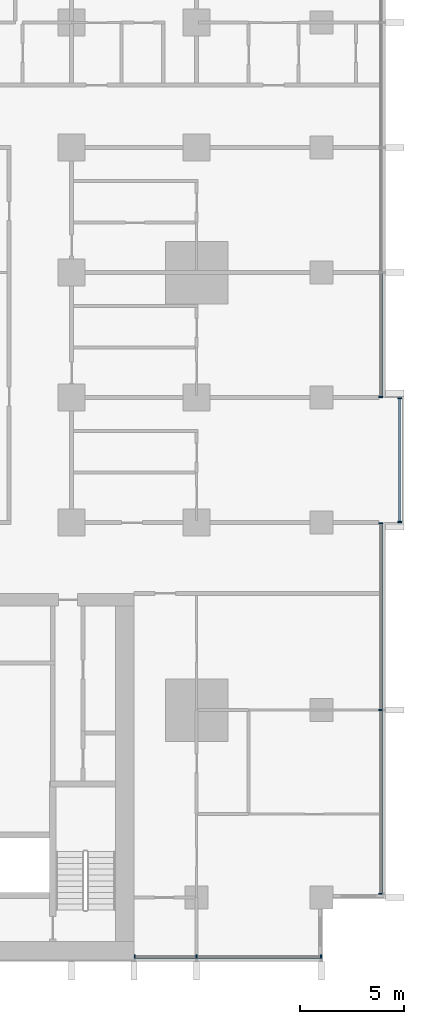
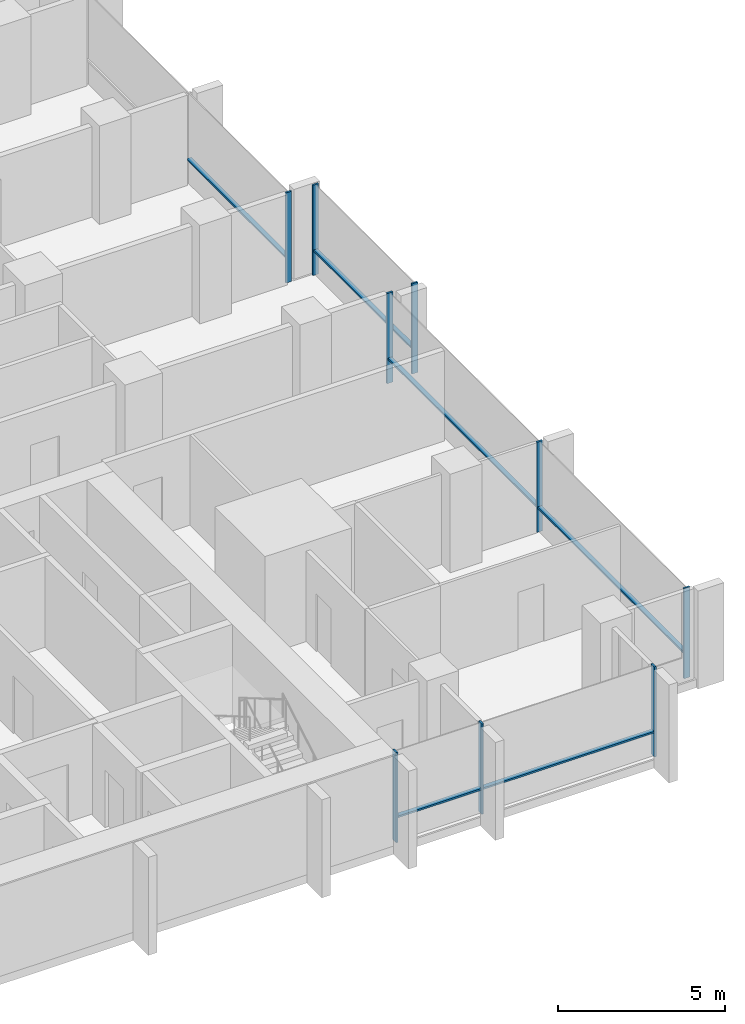
# One storey, part 3 of 18: 15 members, 4 elements without a shape of their own.
"""IFC4 building model written with IfcOpenShell, lengths in metres."""

from ifc_helpers import new_model, si_unit, direction, frame, origin, origin_2d, place, context, subcontext, project, spatial, rectangle, extrude, material, material_profile, profile_set, type_object, element, aggregate, save


model = new_model("IFC4")

# Units and contexts
model_context = context("Model", 3, precision=1e-05, world=origin(), true_north=direction((0.0, 1.0)))
body_context = subcontext(model_context, "Body", "Model", "MODEL_VIEW")
ifc_project = project(units=[si_unit("LENGTHUNIT", "METRE"), si_unit("AREAUNIT", "SQUARE_METRE"), si_unit("VOLUMEUNIT", "CUBIC_METRE"), si_unit("PLANEANGLEUNIT", "RADIAN"), si_unit("MASSUNIT", "GRAM", prefix="KILO")], contexts=[model_context])

# Site, building, storey
site_placement = place(None, origin())
site = spatial("IfcSite", under=ifc_project, at=site_placement, CompositionType="ELEMENT")
building_placement = place(site_placement, origin())
building = spatial("IfcBuilding", under=site, at=building_placement, Name="Finial Court Residences", CompositionType="ELEMENT")
storey_placement = place(building_placement, frame((0.0, 0.0, 57.699951171875)))
storey = spatial("IfcBuildingStorey", under=building, at=storey_placement, Name="L13", CompositionType="ELEMENT", Elevation=57.699951171875)

# Curtain wall, members
ifc_material = material(Name="Bronze anodised aluminium", Category="aluminium")
curtain_wall_type = type_object("IfcCurtainWallType", Name="Unitised curtain wall, lower and middle zones", PredefinedType="NOTDEFINED", material=ifc_material)
curtain_wall_1_placement = place(storey_placement, origin())
curtain_wall_1 = element("IfcCurtainWall", 1, at=curtain_wall_1_placement, inside=storey, type_object=curtain_wall_type, Name="E-L13-CW-E5", PredefinedType="NOTDEFINED")
ifc_material_profile_1 = material_profile(ifc_material, rectangle(XDim=0.199951171875, YDim=0.06494140625, at=origin_2d()), Name="CW1 mullion 65 x 200")
ifc_profile_set_1 = profile_set([ifc_material_profile_1], Name="Bronze anodised aluminium")
member_type_1 = type_object("IfcMemberType", Name="CW1 mullion 65 x 200", PredefinedType="MULLION", material=ifc_profile_set_1)
member_1_placement = place(storey_placement, frame((25.35009765625, -22.3173828125, 0.0), z_axis=(0.0, 0.0, 1.0), x_axis=(-1.0, 0.0, 0.0)))
member_1 = element("IfcMember", 2, at=member_1_placement, type_object=member_type_1, Name="CW1 mullion 1", PredefinedType="MULLION", context=body_context, shape_type="SweptSolid", body=[
    extrude(rectangle(XDim=0.199951171875, YDim=0.06494140625, at=origin_2d()), origin(), (0.0, 0.0, 1.0), 3.300048828125),
])
member_2_placement = place(storey_placement, frame((25.35009765625, -13.5, 0.0), z_axis=(0.0, 0.0, 1.0), x_axis=(-1.0, 0.0, 0.0)))
member_2 = element("IfcMember", 3, at=member_2_placement, type_object=member_type_1, Name="CW1 mullion 2", PredefinedType="MULLION", context=body_context, shape_type="SweptSolid", body=[
    extrude(rectangle(XDim=0.199951171875, YDim=0.06494140625, at=origin_2d()), origin(), (0.0, 0.0, 1.0), 3.300048828125),
])
member_3_placement = place(storey_placement, frame((25.35009765625, -4.532470703125, 0.0), z_axis=(0.0, 0.0, 1.0), x_axis=(-1.0, 0.0, 0.0)))
member_3 = element("IfcMember", 4, at=member_3_placement, type_object=member_type_1, Name="CW1 mullion 3", PredefinedType="MULLION", context=body_context, shape_type="SweptSolid", body=[
    extrude(rectangle(XDim=0.199951171875, YDim=0.06494140625, at=origin_2d()), origin(), (0.0, 0.0, 1.0), 3.300048828125),
])

curtain_wall_2_placement = place(storey_placement, origin())
curtain_wall_2 = element("IfcCurtainWall", 5, at=curtain_wall_2_placement, inside=storey, type_object=curtain_wall_type, Name="E-L13-CW-E6", PredefinedType="NOTDEFINED")
member_4_placement = place(storey_placement, frame((26.25, -4.467529296875, 0.0), z_axis=(0.0, 0.0, 1.0), x_axis=(-1.0, 0.0, 0.0)))
member_4 = element("IfcMember", 6, at=member_4_placement, type_object=member_type_1, Name="CW1 mullion 1", PredefinedType="MULLION", context=body_context, shape_type="SweptSolid", body=[
    extrude(rectangle(XDim=0.199951171875, YDim=0.06494140625, at=origin_2d()), origin(), (0.0, 0.0, 1.0), 3.300048828125),
])
member_5_placement = place(storey_placement, frame((26.25, 1.467529296875, 0.0), z_axis=(0.0, 0.0, 1.0), x_axis=(-1.0, 0.0, 0.0)))
member_5 = element("IfcMember", 7, at=member_5_placement, type_object=member_type_1, Name="CW1 mullion 2", PredefinedType="MULLION", context=body_context, shape_type="SweptSolid", body=[
    extrude(rectangle(XDim=0.199951171875, YDim=0.06494140625, at=origin_2d()), origin(), (0.0, 0.0, 1.0), 3.300048828125),
])

# Curtain wall, member
curtain_wall_3_placement = place(storey_placement, origin())
curtain_wall_3 = element("IfcCurtainWall", 8, at=curtain_wall_3_placement, inside=storey, type_object=curtain_wall_type, Name="E-L13-CW-E7", PredefinedType="NOTDEFINED")
member_6_placement = place(storey_placement, frame((25.35009765625, 1.532470703125, 0.0), z_axis=(0.0, 0.0, 1.0), x_axis=(-1.0, 0.0, 0.0)))
member_6 = element("IfcMember", 9, at=member_6_placement, type_object=member_type_1, Name="CW1 mullion 1", PredefinedType="MULLION", context=body_context, shape_type="SweptSolid", body=[
    extrude(rectangle(XDim=0.199951171875, YDim=0.06494140625, at=origin_2d()), origin(), (0.0, 0.0, 1.0), 3.300048828125),
])

# Curtain wall, members
curtain_wall_4_placement = place(storey_placement, origin())
curtain_wall_4 = element("IfcCurtainWall", 10, at=curtain_wall_4_placement, inside=storey, type_object=curtain_wall_type, Name="E-L13-CW-S9", PredefinedType="NOTDEFINED")
member_7_placement = place(storey_placement, frame((13.532470703125, -25.35009765625, 0.0), z_axis=(0.0, 0.0, 1.0), x_axis=(0.0, 1.0, 0.0)))
member_7 = element("IfcMember", 11, at=member_7_placement, type_object=member_type_1, Name="CW1 mullion 1", PredefinedType="MULLION", context=body_context, shape_type="SweptSolid", body=[
    extrude(rectangle(XDim=0.199951171875, YDim=0.06494140625, at=origin_2d()), origin(), (0.0, 0.0, 1.0), 3.300048828125),
])
member_8_placement = place(storey_placement, frame((16.5, -25.35009765625, 0.0), z_axis=(0.0, 0.0, 1.0), x_axis=(0.0, 1.0, 0.0)))
member_8 = element("IfcMember", 12, at=member_8_placement, type_object=member_type_1, Name="CW1 mullion 2", PredefinedType="MULLION", context=body_context, shape_type="SweptSolid", body=[
    extrude(rectangle(XDim=0.199951171875, YDim=0.06494140625, at=origin_2d()), origin(), (0.0, 0.0, 1.0), 3.300048828125),
])
member_9_placement = place(storey_placement, frame((22.467529296875, -25.35009765625, 0.0), z_axis=(0.0, 0.0, 1.0), x_axis=(0.0, 1.0, 0.0)))
member_9 = element("IfcMember", 13, at=member_9_placement, type_object=member_type_1, Name="CW1 mullion 3", PredefinedType="MULLION", context=body_context, shape_type="SweptSolid", body=[
    extrude(rectangle(XDim=0.199951171875, YDim=0.06494140625, at=origin_2d()), origin(), (0.0, 0.0, 1.0), 3.300048828125),
])

# Member
ifc_material_profile_2 = material_profile(ifc_material, rectangle(XDim=0.14990234375, YDim=0.06494140625, at=origin_2d()), Name="CW1 transom 65 x 150")
ifc_profile_set_2 = profile_set([ifc_material_profile_2], Name="Bronze anodised aluminium")
member_type_2 = type_object("IfcMemberType", Name="CW1 transom 65 x 150", PredefinedType="USERDEFINED", material=ifc_profile_set_2)
member_10_placement = place(storey_placement, frame((25.35009765625, -22.284912109375, 0.900146484375), z_axis=(0.0, 1.0, 0.0), x_axis=(-1.0, 0.0, 0.0)))
member_10 = element("IfcMember", 14, at=member_10_placement, type_object=member_type_2, Name="CW1 transom 1.1", ObjectType="TRANSOM", PredefinedType="USERDEFINED", context=body_context, shape_type="SweptSolid", body=[
    extrude(rectangle(XDim=0.14990234375, YDim=0.06494140625, at=origin_2d()), origin(), (0.0, 0.0, 1.0), 8.75244140625),
])

member_11_placement = place(storey_placement, frame((25.35009765625, -13.467529296875, 0.900146484375), z_axis=(0.0, 1.0, 0.0), x_axis=(-1.0, 0.0, 0.0)))
member_11 = element("IfcMember", 15, at=member_11_placement, type_object=member_type_2, Name="CW1 transom 2.1", ObjectType="TRANSOM", PredefinedType="USERDEFINED", context=body_context, shape_type="SweptSolid", body=[
    extrude(rectangle(XDim=0.14990234375, YDim=0.06494140625, at=origin_2d()), origin(), (0.0, 0.0, 1.0), 8.902587890625),
])

aggregate(curtain_wall_1, [member_1, member_2, member_3, member_10, member_11])

member_12_placement = place(storey_placement, frame((26.25, -4.43505859375, 0.900146484375), z_axis=(0.0, 1.0, 0.0), x_axis=(-1.0, 0.0, 0.0)))
member_12 = element("IfcMember", 16, at=member_12_placement, type_object=member_type_2, Name="CW1 transom 1.1", ObjectType="TRANSOM", PredefinedType="USERDEFINED", context=body_context, shape_type="SweptSolid", body=[
    extrude(rectangle(XDim=0.14990234375, YDim=0.06494140625, at=origin_2d()), origin(), (0.0, 0.0, 1.0), 5.8701171875),
])

aggregate(curtain_wall_2, [member_4, member_5, member_12])

member_13_placement = place(storey_placement, frame((25.35009765625, 1.56494140625, 0.900146484375), z_axis=(0.0, 1.0, 0.0), x_axis=(-1.0, 0.0, 0.0)))
member_13 = element("IfcMember", 17, at=member_13_placement, type_object=member_type_2, Name="CW1 transom 1.1", ObjectType="TRANSOM", PredefinedType="USERDEFINED", context=body_context, shape_type="SweptSolid", body=[
    extrude(rectangle(XDim=0.14990234375, YDim=0.06494140625, at=origin_2d()), origin(), (0.0, 0.0, 1.0), 5.902587890625),
])

aggregate(curtain_wall_3, [member_6, member_13])

member_14_placement = place(storey_placement, frame((13.56494140625, -25.35009765625, 0.900146484375), z_axis=(1.0, 0.0, 0.0), x_axis=(0.0, 1.0, 0.0)))
member_14 = element("IfcMember", 18, at=member_14_placement, type_object=member_type_2, Name="CW1 transom 1.1", ObjectType="TRANSOM", PredefinedType="USERDEFINED", context=body_context, shape_type="SweptSolid", body=[
    extrude(rectangle(XDim=0.14990234375, YDim=0.06494140625, at=origin_2d()), origin(), (0.0, 0.0, 1.0), 2.902587890625),
])

member_15_placement = place(storey_placement, frame((16.532470703125, -25.35009765625, 0.900146484375), z_axis=(1.0, 0.0, 0.0), x_axis=(0.0, 1.0, 0.0)))
member_15 = element("IfcMember", 19, at=member_15_placement, type_object=member_type_2, Name="CW1 transom 2.1", ObjectType="TRANSOM", PredefinedType="USERDEFINED", context=body_context, shape_type="SweptSolid", body=[
    extrude(rectangle(XDim=0.14990234375, YDim=0.06494140625, at=origin_2d()), origin(), (0.0, 0.0, 1.0), 5.902587890625),
])

aggregate(curtain_wall_4, [member_7, member_8, member_9, member_14, member_15])

save(model, "model.ifc")
